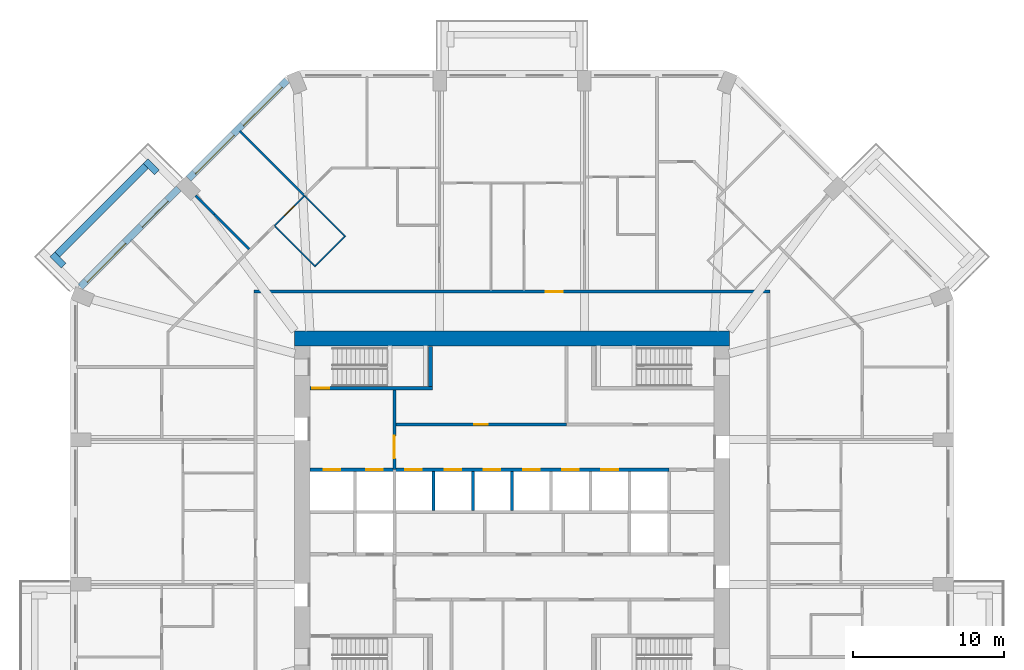
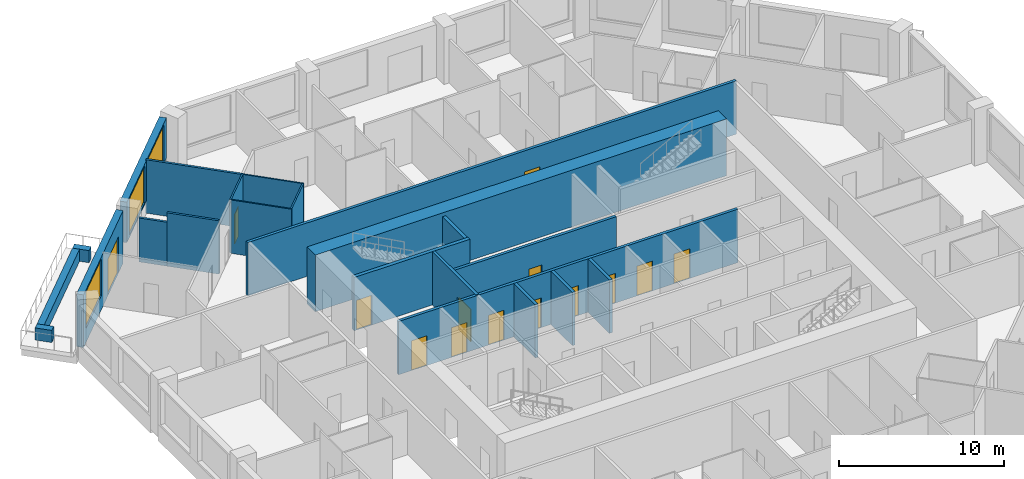
# One storey, part 8 of 13: 22 walls, 14 doors, 3 windows, 17 openings.
"""IFC4 building model written with IfcOpenShell, lengths in metres."""

from ifc_helpers import new_model, si_unit, direction, frame, frame_2d, origin, place, context, subcontext, project, spatial, rectangle, extrude, material, layer, layer_set, type_object, element, fill, save


model = new_model("IFC4")

# Units and contexts
model_context = context("Model", 3, precision=1e-05, world=origin(), true_north=direction((0.0, 1.0)))
body_context = subcontext(model_context, "Body", "Model", "MODEL_VIEW")
ifc_project = project(units=[si_unit("LENGTHUNIT", "METRE"), si_unit("AREAUNIT", "SQUARE_METRE"), si_unit("VOLUMEUNIT", "CUBIC_METRE"), si_unit("PLANEANGLEUNIT", "RADIAN"), si_unit("MASSUNIT", "GRAM", prefix="KILO")], contexts=[model_context])

# Site, building, storey
site_placement = place(None, origin())
site = spatial("IfcSite", under=ifc_project, at=site_placement, CompositionType="ELEMENT")
building_placement = place(site_placement, origin())
building = spatial("IfcBuilding", under=site, at=building_placement, Name="Msitu Wima Residences", CompositionType="ELEMENT")
storey_placement = place(building_placement, frame((0.0, 0.0, 50.699951171875)))
storey = spatial("IfcBuildingStorey", under=building, at=storey_placement, Name="L11", CompositionType="ELEMENT", Elevation=50.699951171875)

# Walls
ifc_material_1 = material(Name="Facing brick")
ifc_layer_1 = layer(ifc_material_1, 0.06494140625, Name="Facing brick")
ifc_material_2 = material(Name="Concrete C40/50", Category="concrete")
ifc_layer_2 = layer(ifc_material_2, 0.156005859375, Name="Concrete C40/50")
ifc_material_3 = material(Name="Waterproofing membrane")
ifc_layer_3 = layer(ifc_material_3, 0.00390625, Name="Waterproofing membrane")
ifc_material_4 = material(Name="Planting soil and planting")
ifc_layer_4 = layer(ifc_material_4, 0.22509765625, Name="Planting soil and planting")
ifc_layer_set_1 = layer_set([ifc_layer_1, ifc_layer_2, ifc_layer_3, ifc_layer_4], Name="Concrete C40/50")
wall_type_1 = type_object("IfcWallType", Name="Balcony planter PLANTER PL450", PredefinedType="USERDEFINED", material=ifc_layer_set_1)
wall_1_placement = place(storey_placement, frame((-24.269287109375, 22.92578125, 0.0), z_axis=(0.0, 0.0, 1.0), x_axis=(-0.707106781187, -0.707106781187, 0.0)))
element("IfcWall", 1, at=wall_1_placement, inside=storey, type_object=wall_type_1, Name="Balcony planter NW1 L11", ObjectType="PLANTER", PredefinedType="USERDEFINED", context=body_context, shape_type="SweptSolid", body=[
    extrude(rectangle(XDim=8.2822265625, YDim=0.449951171875, at=frame_2d((4.14111328125, 0.0))), origin(), (0.0, 0.0, 1.0), 0.900146484375),
])
for number, where, z_axis, x_axis, name in (
    (2, (-23.52685546875, 22.50146484375, 0.0), (0.0, 0.0, 1.0), (-0.706990528533, 0.707223014731, 0.0), "Balcony planter NW1 L11"),
    (3, (-29.70166015625, 16.326904296875, 0.0), (0.0, 0.0, 1.0), (-0.707106781187, 0.707106781187, 0.0), "Balcony planter NW1 L11"),
):
    element("IfcWall", number, at=place(storey_placement, frame(where, z_axis=z_axis, x_axis=x_axis)), inside=storey, type_object=wall_type_1, Name=name, ObjectType="PLANTER", PredefinedType="USERDEFINED", context=body_context, shape_type="SweptSolid", body=[
        extrude(rectangle(XDim=1.050048828125, YDim=0.449951171875, at=frame_2d((0.52490234375, 0.0))), origin(), (0.0, 0.0, 1.0), 0.900146484375),
    ])

# Wall, openings, windows
ifc_material_5 = material(Name="Brick (red buff mix)", Category="masonry")
ifc_layer_5 = layer(ifc_material_5, 0.449951171875)
ifc_layer_set_2 = layer_set([ifc_layer_5], Name="Brick (red buff mix)")
wall_type_2 = type_object("IfcWallType", Name="Brick infill wall BW450", PredefinedType="SOLIDWALL", material=ifc_layer_set_2)
wall_2_placement = place(storey_placement, frame((-14.903564453125, 28.61474609375, 0.900146484375), z_axis=(0.0, 0.0, 1.0), x_axis=(-0.707106781187, -0.707106781187, 0.0)))
wall_2 = element("IfcWall", 4, at=wall_2_placement, inside=storey, type_object=wall_type_2, Name="Brick infill wall L11 NW0", PredefinedType="SOLIDWALL", context=body_context, shape_type="SweptSolid", body=[
    extrude(rectangle(XDim=9.2451171875, YDim=0.449951171875, at=frame_2d((4.62255859375, 0.0))), origin(), (0.0, 0.0, 1.0), 3.0),
])
opening_1_placement = place(wall_2_placement, frame((0.572509765625, 0.0, 0.14990234375)))
opening_1 = element("IfcOpeningElement", 5, at=opening_1_placement, cuts=wall_2, Name="Opening W11-12.014", PredefinedType="OPENING", context=body_context, shape_type="SweptSolid", body=[
    extrude(rectangle(XDim=3.60009765625, YDim=2.699951171875, at=frame_2d((1.800048828125, 1.35009765625))), frame((0.0, 0.23486328125, 0.0), z_axis=(0.0, -1.0, 0.0), x_axis=(1.0, 0.0, 0.0)), (0.0, 0.0, 1.0), 0.469970703125),
])
opening_2_placement = place(wall_2_placement, frame((5.072509765625, 0.0, 0.14990234375)))
opening_2 = element("IfcOpeningElement", 6, at=opening_2_placement, cuts=wall_2, Name="Opening W11-12.015", PredefinedType="OPENING", context=body_context, shape_type="SweptSolid", body=[
    extrude(rectangle(XDim=3.60009765625, YDim=2.699951171875, at=frame_2d((1.800048828125, 1.35009765625))), frame((0.0, 0.23486328125, 0.0), z_axis=(0.0, -1.0, 0.0), x_axis=(1.0, 0.0, 0.0)), (0.0, 0.0, 1.0), 0.469970703125),
])
ifc_material_6 = material(Name="Anodised aluminium, bronze finish, clear low-emissivity double glazing", Category="aluminium")
window_type = type_object("IfcWindowType", Name="Window W3600x2700", PartitioningType="DOUBLE_PANEL_VERTICAL", PredefinedType="WINDOW", material=ifc_material_6)
window_1_placement = place(opening_1_placement, origin())
window_1 = element("IfcWindow", 7, at=window_1_placement, inside=storey, type_object=window_type, Name="Window L11 NW0.1", OverallHeight=2.699951171875, OverallWidth=3.60009765625, PartitioningType="SINGLE_PANEL", PredefinedType="WINDOW", context=body_context, shape_type="SweptSolid", body=[
    extrude(rectangle(XDim=3.60009765625, YDim=2.699951171875, at=frame_2d((1.800048828125, 1.35009765625))), frame((0.0, 0.135009765625, 0.0), z_axis=(0.0, -1.0, 0.0), x_axis=(1.0, 0.0, 0.0)), (0.0, 0.0, 1.0), 0.06005859375),
])
fill(opening_1, window_1)
window_2_placement = place(opening_2_placement, origin())
window_2 = element("IfcWindow", 8, at=window_2_placement, inside=storey, type_object=window_type, Name="Window L11 NW0.2", OverallHeight=2.699951171875, OverallWidth=3.60009765625, PartitioningType="SINGLE_PANEL", PredefinedType="WINDOW", context=body_context, shape_type="SweptSolid", body=[
    extrude(rectangle(XDim=3.60009765625, YDim=2.699951171875, at=frame_2d((1.800048828125, 1.35009765625))), frame((0.0, 0.135009765625, 0.0), z_axis=(0.0, -1.0, 0.0), x_axis=(1.0, 0.0, 0.0)), (0.0, 0.0, 1.0), 0.06005859375),
])
fill(opening_2, window_2)

# Wall, openings, door, window
wall_3_placement = place(storey_placement, frame((-22.077392578125, 21.44091796875, 0.0), z_axis=(0.0, 0.0, 1.0), x_axis=(-0.707106781187, -0.707106781187, 0.0)))
wall_3 = element("IfcWall", 9, at=wall_3_placement, inside=storey, type_object=wall_type_2, Name="Brick infill wall L11 NW1", PredefinedType="SOLIDWALL", context=body_context, shape_type="SweptSolid", body=[
    extrude(rectangle(XDim=9.2451171875, YDim=0.449951171875, at=frame_2d((4.62255859375, 0.0))), origin(), (0.0, 0.0, 1.0), 3.900146484375),
])
opening_3_placement = place(wall_3_placement, frame((1.111328125, 0.0, 0.0)))
opening_3 = element("IfcOpeningElement", 10, at=opening_3_placement, cuts=wall_3, Name="Opening D11-12.004", PredefinedType="OPENING", context=body_context, shape_type="SweptSolid", body=[
    extrude(rectangle(XDim=2.39990234375, YDim=2.699951171875, at=frame_2d((1.199951171875, 1.35009765625))), frame((0.0, 0.23486328125, 0.0), z_axis=(0.0, -1.0, 0.0), x_axis=(1.0, 0.0, 0.0)), (0.0, 0.0, 1.0), 0.469970703125),
])
opening_4_placement = place(wall_3_placement, frame((5.072509765625, 0.0, 1.050048828125)))
opening_4 = element("IfcOpeningElement", 11, at=opening_4_placement, cuts=wall_3, Name="Opening W11-12.016", PredefinedType="OPENING", context=body_context, shape_type="SweptSolid", body=[
    extrude(rectangle(XDim=3.60009765625, YDim=2.699951171875, at=frame_2d((1.800048828125, 1.35009765625))), frame((0.0, 0.23486328125, 0.0), z_axis=(0.0, -1.0, 0.0), x_axis=(1.0, 0.0, 0.0)), (0.0, 0.0, 1.0), 0.469970703125),
])
door_type_1 = type_object("IfcDoorType", Name="Balcony door D2400x2700", OperationType="SLIDING_TO_LEFT", PredefinedType="DOOR", material=ifc_material_6)
door_1_placement = place(opening_3_placement, origin())
door_1 = element("IfcDoor", 12, at=door_1_placement, inside=storey, type_object=door_type_1, Name="Balcony door L11 NW1", OperationType="SINGLE_SWING_LEFT", OverallHeight=2.699951171875, OverallWidth=2.39990234375, PredefinedType="DOOR", context=body_context, shape_type="SweptSolid", body=[
    extrude(rectangle(XDim=2.39990234375, YDim=2.699951171875, at=frame_2d((1.199951171875, 1.35009765625))), frame((0.0, 0.1298828125, 0.0), z_axis=(0.0, -1.0, 0.0), x_axis=(1.0, 0.0, 0.0)), (0.0, 0.0, 1.0), 0.050048828125),
])
fill(opening_3, door_1)
window_3_placement = place(opening_4_placement, origin())
window_3 = element("IfcWindow", 13, at=window_3_placement, inside=storey, type_object=window_type, Name="Window L11 NW1.2", OverallHeight=2.699951171875, OverallWidth=3.60009765625, PartitioningType="SINGLE_PANEL", PredefinedType="WINDOW", context=body_context, shape_type="SweptSolid", body=[
    extrude(rectangle(XDim=3.60009765625, YDim=2.699951171875, at=frame_2d((1.800048828125, 1.35009765625))), frame((0.0, 0.135009765625, 0.0), z_axis=(0.0, -1.0, 0.0), x_axis=(1.0, 0.0, 0.0)), (0.0, 0.0, 1.0), 0.06005859375),
])
fill(opening_4, window_3)

# Wall
ifc_material_7 = material(Name="Concrete C80/95", Category="concrete")
ifc_layer_6 = layer(ifc_material_7, 1.0)
ifc_layer_set_3 = layer_set([ifc_layer_6], Name="Concrete C80/95")
wall_type_3 = type_object("IfcWallType", Name="Core wall CW1000 C80/95", PredefinedType="SHEAR", material=ifc_layer_set_3)
wall_4_placement = place(storey_placement, frame((-14.39990234375, 11.5, 0.0), z_axis=(0.0, 0.0, 1.0), x_axis=(1.0, 0.0, 0.0)))
element("IfcWall", 14, at=wall_4_placement, inside=storey, type_object=wall_type_3, Name="Core wall", PredefinedType="SHEAR", context=body_context, shape_type="SweptSolid", body=[
    extrude(rectangle(XDim=28.7998046875, YDim=1.0, at=frame_2d((14.39990234375, 0.0))), origin(), (0.0, 0.0, 1.0), 4.199951171875),
])

# Wall, opening, door
ifc_material_8 = material(Name="Plaster")
ifc_layer_7 = layer(ifc_material_8, 0.011962890625, Name="Plaster")
ifc_material_9 = material(Name="Concrete blockwork", Category="masonry")
ifc_layer_8 = layer(ifc_material_9, 0.176025390625, Name="Concrete blockwork")
ifc_layer_9 = layer(ifc_material_8, 0.011962890625, Name="Plaster")
ifc_layer_set_4 = layer_set([ifc_layer_7, ifc_layer_8, ifc_layer_9], Name="Concrete blockwork")
wall_type_4 = type_object("IfcWallType", Name="Corridor wall FW200", PredefinedType="PARTITIONING", material=ifc_layer_set_4)
wall_5_placement = place(storey_placement, frame((-17.10009765625, 14.60009765625, 0.0), z_axis=(0.0, 0.0, 1.0), x_axis=(1.0, 0.0, 0.0)))
wall_5 = element("IfcWall", 15, at=wall_5_placement, inside=storey, type_object=wall_type_4, Name="Corridor wall", PredefinedType="PARTITIONING", context=body_context, shape_type="SweptSolid", body=[
    extrude(rectangle(XDim=34.2001953125, YDim=0.199951171875, at=frame_2d((17.10009765625, 0.0))), origin(), (0.0, 0.0, 1.0), 3.949951171875),
])
opening_5_placement = place(wall_5_placement, frame((19.35009765625, 0.0, 0.0)))
opening_5 = element("IfcOpeningElement", 16, at=opening_5_placement, cuts=wall_5, Name="Opening D11-12.009", PredefinedType="OPENING", context=body_context, shape_type="SweptSolid", body=[
    extrude(rectangle(XDim=1.10009765625, YDim=2.39990234375, at=frame_2d((0.550048828125, 1.199951171875))), frame((0.0, 0.10986328125, 0.0), z_axis=(0.0, -1.0, 0.0), x_axis=(1.0, 0.0, 0.0)), (0.0, 0.0, 1.0), 0.219970703125),
])
ifc_material_10 = material(Name="Timber flush door, fire resisting, self-closing", Category="wood")
door_type_2 = type_object("IfcDoorType", Name="Flat entrance door D01 1100x2400", OperationType="SINGLE_SWING_LEFT", PredefinedType="DOOR", material=ifc_material_10)
door_2_placement = place(opening_5_placement, origin())
door_2 = element("IfcDoor", 17, at=door_2_placement, inside=storey, type_object=door_type_2, Name="Flat entrance door", OperationType="SINGLE_SWING_RIGHT", OverallHeight=2.39990234375, OverallWidth=1.10009765625, PredefinedType="DOOR", context=body_context, shape_type="SweptSolid", body=[
    extrude(rectangle(XDim=1.10009765625, YDim=2.39990234375, at=frame_2d((0.550048828125, 1.199951171875))), frame((0.0, 0.02490234375, 0.0), z_axis=(0.0, -1.0, 0.0), x_axis=(1.0, 0.0, 0.0)), (0.0, 0.0, 1.0), 0.050048828125),
])
fill(opening_5, door_2)

wall_6_placement = place(storey_placement, frame((-7.800048828125, 2.800048828125, 0.0), z_axis=(0.0, 0.0, 1.0), x_axis=(0.0, 1.0, 0.0)))
wall_6 = element("IfcWall", 18, at=wall_6_placement, inside=storey, type_object=wall_type_4, Name="Corridor wall", PredefinedType="PARTITIONING", context=body_context, shape_type="SweptSolid", body=[
    extrude(rectangle(XDim=5.27490234375, YDim=0.199951171875, at=frame_2d((2.637451171875, 0.0))), origin(), (0.0, 0.0, 1.0), 3.949951171875),
])
opening_6_placement = place(wall_6_placement, frame((0.75, 0.0, 0.0)))
opening_6 = element("IfcOpeningElement", 19, at=opening_6_placement, cuts=wall_6, Name="Opening D11-12.014", PredefinedType="OPENING", context=body_context, shape_type="SweptSolid", body=[
    extrude(rectangle(XDim=1.5, YDim=2.39990234375, at=frame_2d((0.75, 1.199951171875))), frame((0.0, 0.10986328125, 0.0), z_axis=(0.0, -1.0, 0.0), x_axis=(1.0, 0.0, 0.0)), (0.0, 0.0, 1.0), 0.219970703125),
])
ifc_material_11 = material(Name="Steel framed glazed door, fire resisting", Category="steel")
door_type_3 = type_object("IfcDoorType", Name="Lobby door D07 1500x2400", OperationType="DOUBLE_DOOR_SINGLE_SWING", PredefinedType="DOOR", material=ifc_material_11)
door_3_placement = place(opening_6_placement, origin())
door_3 = element("IfcDoor", 20, at=door_3_placement, inside=storey, type_object=door_type_3, Name="Lobby door", OperationType="DOUBLE_DOOR_SINGLE_SWING", OverallHeight=2.39990234375, OverallWidth=1.5, PredefinedType="DOOR", context=body_context, shape_type="SweptSolid", body=[
    extrude(rectangle(XDim=1.5, YDim=2.39990234375, at=frame_2d((0.75, 1.199951171875))), frame((0.0, 0.02490234375, 0.0), z_axis=(0.0, -1.0, 0.0), x_axis=(1.0, 0.0, 0.0)), (0.0, 0.0, 1.0), 0.050048828125),
])
fill(opening_6, door_3)

wall_7_placement = place(storey_placement, frame((-7.699951171875, 5.800048828125, 0.0), z_axis=(0.0, 0.0, 1.0), x_axis=(1.0, 0.0, 0.0)))
wall_7 = element("IfcWall", 21, at=wall_7_placement, inside=storey, type_object=wall_type_4, Name="Corridor wall", PredefinedType="PARTITIONING", context=body_context, shape_type="SweptSolid", body=[
    extrude(rectangle(XDim=11.320068359375, YDim=0.199951171875, at=frame_2d((5.66015625, 0.0))), origin(), (0.0, 0.0, 1.0), 3.949951171875),
])
opening_7_placement = place(wall_7_placement, frame((5.199951171875, 0.0, 0.0)))
opening_7 = element("IfcOpeningElement", 22, at=opening_7_placement, cuts=wall_7, Name="Opening D11-12.017", PredefinedType="OPENING", context=body_context, shape_type="SweptSolid", body=[
    extrude(rectangle(XDim=0.89990234375, YDim=2.199951171875, at=frame_2d((0.449951171875, 1.10009765625))), frame((0.0, 0.10986328125, 0.0), z_axis=(0.0, -1.0, 0.0), x_axis=(1.0, 0.0, 0.0)), (0.0, 0.0, 1.0), 0.219970703125),
])
ifc_material_12 = material(Name="Timber flush door", Category="wood")
door_type_4 = type_object("IfcDoorType", Name="Service door D05 900x2200", OperationType="SINGLE_SWING_LEFT", PredefinedType="DOOR", material=ifc_material_12)
door_4_placement = place(opening_7_placement, origin())
door_4 = element("IfcDoor", 23, at=door_4_placement, inside=storey, type_object=door_type_4, Name="Service door", OperationType="SINGLE_SWING_LEFT", OverallHeight=2.199951171875, OverallWidth=0.89990234375, PredefinedType="DOOR", context=body_context, shape_type="SweptSolid", body=[
    extrude(rectangle(XDim=0.89990234375, YDim=2.199951171875, at=frame_2d((0.449951171875, 1.10009765625))), frame((0.0, 0.02490234375, 0.0), z_axis=(0.0, -1.0, 0.0), x_axis=(1.0, 0.0, 0.0)), (0.0, 0.0, 1.0), 0.050048828125),
])
fill(opening_7, door_4)

# Walls
ifc_layer_10 = layer(ifc_material_8, 0.011962890625, Name="Plaster")
ifc_layer_11 = layer(ifc_material_9, 0.1259765625, Name="Concrete blockwork")
ifc_layer_12 = layer(ifc_material_8, 0.011962890625, Name="Plaster")
ifc_layer_set_5 = layer_set([ifc_layer_10, ifc_layer_11, ifc_layer_12], Name="Concrete blockwork")
wall_type_5 = type_object("IfcWallType", Name="Partition PW150", PredefinedType="PARTITIONING", material=ifc_layer_set_5)
wall_8_placement = place(storey_placement, frame((-20.963623046875, 20.963623046875, 0.0), z_axis=(0.0, 0.0, 1.0), x_axis=(0.707106781187, -0.707106781187, 0.0)))
element("IfcWall", 24, at=wall_8_placement, inside=storey, type_object=wall_type_5, Name="Partition", PredefinedType="PARTITIONING", context=body_context, shape_type="SweptSolid", body=[
    extrude(rectangle(XDim=1.74853515625, YDim=0.14990234375, at=frame_2d((0.874267578125, 0.0))), origin(), (0.0, 0.0, 1.0), 3.25),
])
wall_9_placement = place(storey_placement, frame((-19.727294921875, 19.727294921875, 0.0), z_axis=(0.0, 0.0, 1.0), x_axis=(0.707106781187, -0.707106781187, 0.0)))
element("IfcWall", 25, at=wall_9_placement, inside=storey, type_object=wall_type_5, Name="Partition", PredefinedType="PARTITIONING", context=body_context, shape_type="SweptSolid", body=[
    extrude(rectangle(XDim=3.276611328125, YDim=0.14990234375, at=frame_2d((1.63818359375, 0.0))), origin(), (0.0, 0.0, 1.0), 3.949951171875),
])
wall_10_placement = place(storey_placement, frame((-18.038818359375, 25.23876953125, 0.0), z_axis=(0.0, 0.0, 1.0), x_axis=(0.707106781187, -0.707106781187, 0.0)))
element("IfcWall", 26, at=wall_10_placement, inside=storey, type_object=wall_type_5, Name="Partition", PredefinedType="PARTITIONING", context=body_context, shape_type="SweptSolid", body=[
    extrude(rectangle(XDim=6.074951171875, YDim=0.14990234375, at=frame_2d((3.03759765625, 0.0))), origin(), (0.0, 0.0, 1.0), 3.949951171875),
])

# Wall, openings, doors
ifc_material_13 = material(Name="Fire-rated board")
ifc_layer_13 = layer(ifc_material_13, 0.02490234375, Name="Fire-rated board")
ifc_material_14 = material(Name="Light-gauge stud framing with mineral wool")
ifc_layer_14 = layer(ifc_material_14, 0.14990234375, Name="Light-gauge stud framing with mineral wool")
ifc_layer_15 = layer(ifc_material_13, 0.02490234375, Name="Fire-rated board")
ifc_layer_set_6 = layer_set([ifc_layer_13, ifc_layer_14, ifc_layer_15], Name="Light-gauge stud framing with mineral wool")
wall_type_6 = type_object("IfcWallType", Name="Shaft wall SH200", PredefinedType="PARTITIONING", material=ifc_layer_set_6)
wall_11_placement = place(storey_placement, frame((-13.3701171875, 2.800048828125, 0.0), z_axis=(0.0, 0.0, 1.0), x_axis=(1.0, 0.0, 0.0)))
wall_11 = element("IfcWall", 27, at=wall_11_placement, inside=storey, type_object=wall_type_6, Name="Shaft wall", PredefinedType="PARTITIONING", context=body_context, shape_type="SweptSolid", body=[
    extrude(rectangle(XDim=23.77001953125, YDim=0.199951171875, at=frame_2d((11.885009765625, 0.0))), origin(), (0.0, 0.0, 1.0), 3.949951171875),
])
opening_8_placement = place(wall_11_placement, frame((0.89990234375, 0.0, 0.0)))
opening_8 = element("IfcOpeningElement", 28, at=opening_8_placement, cuts=wall_11, Name="Opening LD", PredefinedType="OPENING", context=body_context, shape_type="SweptSolid", body=[
    extrude(rectangle(XDim=1.10009765625, YDim=2.199951171875, at=frame_2d((0.550048828125, 1.10009765625))), frame((0.0, 0.10986328125, 0.0), z_axis=(0.0, -1.0, 0.0), x_axis=(1.0, 0.0, 0.0)), (0.0, 0.0, 1.0), 0.219970703125),
])
opening_9_placement = place(wall_11_placement, frame((3.699951171875, 0.0, 0.0)))
opening_9 = element("IfcOpeningElement", 29, at=opening_9_placement, cuts=wall_11, Name="Opening LD", PredefinedType="OPENING", context=body_context, shape_type="SweptSolid", body=[
    extrude(rectangle(XDim=1.10009765625, YDim=2.199951171875, at=frame_2d((0.550048828125, 1.10009765625))), frame((0.0, 0.10986328125, 0.0), z_axis=(0.0, -1.0, 0.0), x_axis=(1.0, 0.0, 0.0)), (0.0, 0.0, 1.0), 0.219970703125),
])
opening_10_placement = place(wall_11_placement, frame((6.300048828125, 0.0, 0.0)))
opening_10 = element("IfcOpeningElement", 30, at=opening_10_placement, cuts=wall_11, Name="Opening LD", PredefinedType="OPENING", context=body_context, shape_type="SweptSolid", body=[
    extrude(rectangle(XDim=1.10009765625, YDim=2.199951171875, at=frame_2d((0.550048828125, 1.10009765625))), frame((0.0, 0.10986328125, 0.0), z_axis=(0.0, -1.0, 0.0), x_axis=(1.0, 0.0, 0.0)), (0.0, 0.0, 1.0), 0.219970703125),
])
opening_11_placement = place(wall_11_placement, frame((8.89990234375, 0.0, 0.0)))
opening_11 = element("IfcOpeningElement", 31, at=opening_11_placement, cuts=wall_11, Name="Opening LD", PredefinedType="OPENING", context=body_context, shape_type="SweptSolid", body=[
    extrude(rectangle(XDim=1.10009765625, YDim=2.199951171875, at=frame_2d((0.550048828125, 1.10009765625))), frame((0.0, 0.10986328125, 0.0), z_axis=(0.0, -1.0, 0.0), x_axis=(1.0, 0.0, 0.0)), (0.0, 0.0, 1.0), 0.219970703125),
])
opening_12_placement = place(wall_11_placement, frame((11.5, 0.0, 0.0)))
opening_12 = element("IfcOpeningElement", 32, at=opening_12_placement, cuts=wall_11, Name="Opening LD", PredefinedType="OPENING", context=body_context, shape_type="SweptSolid", body=[
    extrude(rectangle(XDim=1.10009765625, YDim=2.199951171875, at=frame_2d((0.550048828125, 1.10009765625))), frame((0.0, 0.10986328125, 0.0), z_axis=(0.0, -1.0, 0.0), x_axis=(1.0, 0.0, 0.0)), (0.0, 0.0, 1.0), 0.219970703125),
])
opening_13_placement = place(wall_11_placement, frame((14.10009765625, 0.0, 0.0)))
opening_13 = element("IfcOpeningElement", 33, at=opening_13_placement, cuts=wall_11, Name="Opening LD", PredefinedType="OPENING", context=body_context, shape_type="SweptSolid", body=[
    extrude(rectangle(XDim=1.10009765625, YDim=2.199951171875, at=frame_2d((0.550048828125, 1.10009765625))), frame((0.0, 0.10986328125, 0.0), z_axis=(0.0, -1.0, 0.0), x_axis=(1.0, 0.0, 0.0)), (0.0, 0.0, 1.0), 0.219970703125),
])
opening_14_placement = place(wall_11_placement, frame((16.699951171875, 0.0, 0.0)))
opening_14 = element("IfcOpeningElement", 34, at=opening_14_placement, cuts=wall_11, Name="Opening LD", PredefinedType="OPENING", context=body_context, shape_type="SweptSolid", body=[
    extrude(rectangle(XDim=1.10009765625, YDim=2.199951171875, at=frame_2d((0.550048828125, 1.10009765625))), frame((0.0, 0.10986328125, 0.0), z_axis=(0.0, -1.0, 0.0), x_axis=(1.0, 0.0, 0.0)), (0.0, 0.0, 1.0), 0.219970703125),
])
opening_15_placement = place(wall_11_placement, frame((19.300048828125, 0.0, 0.0)))
opening_15 = element("IfcOpeningElement", 35, at=opening_15_placement, cuts=wall_11, Name="Opening LD", PredefinedType="OPENING", context=body_context, shape_type="SweptSolid", body=[
    extrude(rectangle(XDim=1.10009765625, YDim=2.199951171875, at=frame_2d((0.550048828125, 1.10009765625))), frame((0.0, 0.10986328125, 0.0), z_axis=(0.0, -1.0, 0.0), x_axis=(1.0, 0.0, 0.0)), (0.0, 0.0, 1.0), 0.219970703125),
])
ifc_material_15 = material(Name="Stainless steel centre-opening landing door, rated", Category="steel")
door_type_5 = type_object("IfcDoorType", Name="Lift landing door LD 1100x2200", OperationType="DOUBLE_DOOR_SLIDING", PredefinedType="DOOR", material=ifc_material_15)
door_5_placement = place(opening_8_placement, origin())
door_5 = element("IfcDoor", 36, at=door_5_placement, inside=storey, type_object=door_type_5, Name="Lift landing door LD1", OperationType="DOUBLE_DOOR_SLIDING", OverallHeight=2.199951171875, OverallWidth=1.10009765625, PredefinedType="DOOR", context=body_context, shape_type="SweptSolid", body=[
    extrude(rectangle(XDim=1.10009765625, YDim=2.199951171875, at=frame_2d((0.550048828125, 1.10009765625))), frame((0.0, 0.02490234375, 0.0), z_axis=(0.0, -1.0, 0.0), x_axis=(1.0, 0.0, 0.0)), (0.0, 0.0, 1.0), 0.050048828125),
])
fill(opening_8, door_5)
door_6_placement = place(opening_9_placement, origin())
door_6 = element("IfcDoor", 37, at=door_6_placement, inside=storey, type_object=door_type_5, Name="Lift landing door LD2", OperationType="DOUBLE_DOOR_SLIDING", OverallHeight=2.199951171875, OverallWidth=1.10009765625, PredefinedType="DOOR", context=body_context, shape_type="SweptSolid", body=[
    extrude(rectangle(XDim=1.10009765625, YDim=2.199951171875, at=frame_2d((0.550048828125, 1.10009765625))), frame((0.0, 0.02490234375, 0.0), z_axis=(0.0, -1.0, 0.0), x_axis=(1.0, 0.0, 0.0)), (0.0, 0.0, 1.0), 0.050048828125),
])
fill(opening_9, door_6)
door_7_placement = place(opening_10_placement, origin())
door_7 = element("IfcDoor", 38, at=door_7_placement, inside=storey, type_object=door_type_5, Name="Lift landing door LD4", OperationType="DOUBLE_DOOR_SLIDING", OverallHeight=2.199951171875, OverallWidth=1.10009765625, PredefinedType="DOOR", context=body_context, shape_type="SweptSolid", body=[
    extrude(rectangle(XDim=1.10009765625, YDim=2.199951171875, at=frame_2d((0.550048828125, 1.10009765625))), frame((0.0, 0.02490234375, 0.0), z_axis=(0.0, -1.0, 0.0), x_axis=(1.0, 0.0, 0.0)), (0.0, 0.0, 1.0), 0.050048828125),
])
fill(opening_10, door_7)
door_8_placement = place(opening_11_placement, origin())
door_8 = element("IfcDoor", 39, at=door_8_placement, inside=storey, type_object=door_type_5, Name="Lift landing door LD6", OperationType="DOUBLE_DOOR_SLIDING", OverallHeight=2.199951171875, OverallWidth=1.10009765625, PredefinedType="DOOR", context=body_context, shape_type="SweptSolid", body=[
    extrude(rectangle(XDim=1.10009765625, YDim=2.199951171875, at=frame_2d((0.550048828125, 1.10009765625))), frame((0.0, 0.02490234375, 0.0), z_axis=(0.0, -1.0, 0.0), x_axis=(1.0, 0.0, 0.0)), (0.0, 0.0, 1.0), 0.050048828125),
])
fill(opening_11, door_8)
door_9_placement = place(opening_12_placement, origin())
door_9 = element("IfcDoor", 40, at=door_9_placement, inside=storey, type_object=door_type_5, Name="Lift landing door LD8", OperationType="DOUBLE_DOOR_SLIDING", OverallHeight=2.199951171875, OverallWidth=1.10009765625, PredefinedType="DOOR", context=body_context, shape_type="SweptSolid", body=[
    extrude(rectangle(XDim=1.10009765625, YDim=2.199951171875, at=frame_2d((0.550048828125, 1.10009765625))), frame((0.0, 0.02490234375, 0.0), z_axis=(0.0, -1.0, 0.0), x_axis=(1.0, 0.0, 0.0)), (0.0, 0.0, 1.0), 0.050048828125),
])
fill(opening_12, door_9)
door_10_placement = place(opening_13_placement, origin())
door_10 = element("IfcDoor", 41, at=door_10_placement, inside=storey, type_object=door_type_5, Name="Lift landing door LD10", OperationType="DOUBLE_DOOR_SLIDING", OverallHeight=2.199951171875, OverallWidth=1.10009765625, PredefinedType="DOOR", context=body_context, shape_type="SweptSolid", body=[
    extrude(rectangle(XDim=1.10009765625, YDim=2.199951171875, at=frame_2d((0.550048828125, 1.10009765625))), frame((0.0, 0.02490234375, 0.0), z_axis=(0.0, -1.0, 0.0), x_axis=(1.0, 0.0, 0.0)), (0.0, 0.0, 1.0), 0.050048828125),
])
fill(opening_13, door_10)
door_11_placement = place(opening_14_placement, origin())
door_11 = element("IfcDoor", 42, at=door_11_placement, inside=storey, type_object=door_type_5, Name="Lift landing door LD12", OperationType="DOUBLE_DOOR_SLIDING", OverallHeight=2.199951171875, OverallWidth=1.10009765625, PredefinedType="DOOR", context=body_context, shape_type="SweptSolid", body=[
    extrude(rectangle(XDim=1.10009765625, YDim=2.199951171875, at=frame_2d((0.550048828125, 1.10009765625))), frame((0.0, 0.02490234375, 0.0), z_axis=(0.0, -1.0, 0.0), x_axis=(1.0, 0.0, 0.0)), (0.0, 0.0, 1.0), 0.050048828125),
])
fill(opening_14, door_11)
door_12_placement = place(opening_15_placement, origin())
door_12 = element("IfcDoor", 43, at=door_12_placement, inside=storey, type_object=door_type_5, Name="Lift landing door LD14", OperationType="DOUBLE_DOOR_SLIDING", OverallHeight=2.199951171875, OverallWidth=1.10009765625, PredefinedType="DOOR", context=body_context, shape_type="SweptSolid", body=[
    extrude(rectangle(XDim=1.10009765625, YDim=2.199951171875, at=frame_2d((0.550048828125, 1.10009765625))), frame((0.0, 0.02490234375, 0.0), z_axis=(0.0, -1.0, 0.0), x_axis=(1.0, 0.0, 0.0)), (0.0, 0.0, 1.0), 0.050048828125),
])
fill(opening_15, door_12)

# Walls
for number, where, z_axis, x_axis, name in (
    (44, (-5.199951171875, 0.10009765625, 0.0), (0.0, 0.0, 1.0), (0.0, 1.0, 0.0), "Shaft wall"),
    (45, (-2.60009765625, 0.10009765625, 0.0), (0.0, 0.0, 1.0), (0.0, 1.0, 0.0), "Shaft wall"),
    (46, (0.0, 0.10009765625, 0.0), (0.0, 0.0, 1.0), (0.0, 1.0, 0.0), "Shaft wall"),
):
    element("IfcWall", number, at=place(storey_placement, frame(where, z_axis=z_axis, x_axis=x_axis)), inside=storey, type_object=wall_type_6, Name=name, PredefinedType="PARTITIONING", context=body_context, shape_type="SweptSolid", body=[
        extrude(rectangle(XDim=2.599853515625, YDim=0.199951171875, at=frame_2d((1.2998046875, 0.0))), origin(), (0.0, 0.0, 1.0), 3.949951171875),
    ])

# Wall, opening, door
ifc_material_16 = material(Name="Concrete C50/60", Category="concrete")
ifc_layer_16 = layer(ifc_material_16, 0.25)
ifc_layer_set_7 = layer_set([ifc_layer_16], Name="Concrete C50/60")
wall_type_7 = type_object("IfcWallType", Name="Stair enclosure wall SW250", PredefinedType="SHEAR", material=ifc_layer_set_7)
wall_12_placement = place(storey_placement, frame((-13.3701171875, 8.199951171875, 0.0), z_axis=(0.0, 0.0, 1.0), x_axis=(1.0, 0.0, 0.0)))
wall_12 = element("IfcWall", 47, at=wall_12_placement, inside=storey, type_object=wall_type_7, Name="Stair enclosure wall", PredefinedType="SHEAR", context=body_context, shape_type="SweptSolid", body=[
    extrude(rectangle(XDim=8.09521484375, YDim=0.25, at=frame_2d((4.047607421875, 0.0))), origin(), (0.0, 0.0, 1.0), 3.949951171875),
])
opening_16_placement = place(wall_12_placement, frame((0.14990234375, 0.0, 0.0)))
opening_16 = element("IfcOpeningElement", 48, at=opening_16_placement, cuts=wall_12, Name="Opening D11-12.032", PredefinedType="OPENING", context=body_context, shape_type="SweptSolid", body=[
    extrude(rectangle(XDim=1.10009765625, YDim=2.199951171875, at=frame_2d((0.550048828125, 1.10009765625))), frame((0.0, 0.135009765625, 0.0), z_axis=(0.0, -1.0, 0.0), x_axis=(1.0, 0.0, 0.0)), (0.0, 0.0, 1.0), 0.27001953125),
])
ifc_material_17 = material(Name="Steel door, fire resisting, panic bar", Category="steel")
door_type_6 = type_object("IfcDoorType", Name="Stair door D06 1100x2200", OperationType="SINGLE_SWING_LEFT", PredefinedType="DOOR", material=ifc_material_17)
door_13_placement = place(opening_16_placement, origin())
door_13 = element("IfcDoor", 49, at=door_13_placement, inside=storey, type_object=door_type_6, Name="Stair door", OperationType="SINGLE_SWING_LEFT", OverallHeight=2.199951171875, OverallWidth=1.10009765625, PredefinedType="DOOR", context=body_context, shape_type="SweptSolid", body=[
    extrude(rectangle(XDim=1.10009765625, YDim=2.199951171875, at=frame_2d((0.550048828125, 1.10009765625))), frame((0.0, 0.02490234375, 0.0), z_axis=(0.0, -1.0, 0.0), x_axis=(1.0, 0.0, 0.0)), (0.0, 0.0, 1.0), 0.050048828125),
])
fill(opening_16, door_13)

# Wall
wall_13_placement = place(storey_placement, frame((-5.39990234375, 8.324951171875, 0.0), z_axis=(0.0, 0.0, 1.0), x_axis=(0.0, 1.0, 0.0)))
element("IfcWall", 50, at=wall_13_placement, inside=storey, type_object=wall_type_7, Name="Stair enclosure wall", PredefinedType="SHEAR", context=body_context, shape_type="SweptSolid", body=[
    extrude(rectangle(XDim=2.64501953125, YDim=0.25, at=frame_2d((1.322509765625, 0.0))), origin(), (0.0, 0.0, 1.0), 3.949951171875),
])

# Wall, opening, door
ifc_material_18 = material(Name="Ceramic tiles")
ifc_layer_17 = layer(ifc_material_18, 0.008056640625, Name="Ceramic tiles")
ifc_material_19 = material(Name="Moisture-resistant board")
ifc_layer_18 = layer(ifc_material_19, 0.012451171875, Name="Moisture-resistant board")
ifc_layer_19 = layer(ifc_material_14, 0.06689453125, Name="Light-gauge stud framing with mineral wool")
ifc_layer_20 = layer(ifc_material_19, 0.012451171875, Name="Moisture-resistant board")
ifc_layer_set_8 = layer_set([ifc_layer_17, ifc_layer_18, ifc_layer_19, ifc_layer_20], Name="Light-gauge stud framing with mineral wool")
wall_type_8 = type_object("IfcWallType", Name="Wet wall PW100", PredefinedType="PARTITIONING", material=ifc_layer_set_8)
wall_14_placement = place(storey_placement, frame((-15.7373046875, 18.9775390625, 0.0), z_axis=(0.0, 0.0, 1.0), x_axis=(0.707150067696, 0.707063492027, 0.0)))
wall_14 = element("IfcWall", 51, at=wall_14_placement, inside=storey, type_object=wall_type_8, Name="Wet wall", PredefinedType="PARTITIONING", context=body_context, shape_type="SweptSolid", body=[
    extrude(rectangle(XDim=2.820068359375, YDim=0.10009765625, at=frame_2d((1.41015625, 0.0))), origin(), (0.0, 0.0, 1.0), 3.949951171875),
])
opening_17_placement = place(wall_14_placement, frame((0.949951171875, 0.0, 0.0)))
opening_17 = element("IfcOpeningElement", 52, at=opening_17_placement, cuts=wall_14, Name="Opening D11-12.052", PredefinedType="OPENING", context=body_context, shape_type="SweptSolid", body=[
    extrude(rectangle(XDim=0.89990234375, YDim=2.199951171875, at=frame_2d((0.449951171875, 1.10009765625))), frame((0.0, 0.06005859375, 0.0), z_axis=(0.0, -1.0, 0.0), x_axis=(1.0, 0.0, 0.0)), (0.0, 0.0, 1.0), 0.1201171875),
])
ifc_material_20 = material(Name="Timber flush door, moisture resistant", Category="wood")
door_type_7 = type_object("IfcDoorType", Name="Bathroom door D03 900x2200", OperationType="SINGLE_SWING_LEFT", PredefinedType="DOOR", material=ifc_material_20)
door_14_placement = place(opening_17_placement, origin())
door_14 = element("IfcDoor", 53, at=door_14_placement, inside=storey, type_object=door_type_7, Name="Bathroom door", OperationType="SINGLE_SWING_RIGHT", OverallHeight=2.199951171875, OverallWidth=0.89990234375, PredefinedType="DOOR", context=body_context, shape_type="SweptSolid", body=[
    extrude(rectangle(XDim=0.89990234375, YDim=2.199951171875, at=frame_2d((0.449951171875, 1.10009765625))), frame((0.0, 0.02490234375, 0.0), z_axis=(0.0, -1.0, 0.0), x_axis=(1.0, 0.0, 0.0)), (0.0, 0.0, 1.0), 0.050048828125),
])
fill(opening_17, door_14)

# Walls
wall_15_placement = place(storey_placement, frame((-15.701904296875, 18.942138671875, 0.0), z_axis=(0.0, 0.0, 1.0), x_axis=(0.707106781187, -0.707106781187, 0.0)))
element("IfcWall", 54, at=wall_15_placement, inside=storey, type_object=wall_type_8, Name="Wet wall", PredefinedType="PARTITIONING", context=body_context, shape_type="SweptSolid", body=[
    extrude(rectangle(XDim=3.800048828125, YDim=0.10009765625, at=frame_2d((1.89990234375, 0.0))), origin(), (0.0, 0.0, 1.0), 3.949951171875),
])
wall_16_placement = place(storey_placement, frame((-13.7431640625, 20.943115234375, 0.0), z_axis=(0.0, 0.0, 1.0), x_axis=(0.707138653661, -0.707074907275, 0.0)))
element("IfcWall", 55, at=wall_16_placement, inside=storey, type_object=wall_type_8, Name="Wet wall", PredefinedType="PARTITIONING", context=body_context, shape_type="SweptSolid", body=[
    extrude(rectangle(XDim=3.829833984375, YDim=0.10009765625, at=frame_2d((1.9150390625, 0.0))), origin(), (0.0, 0.0, 1.0), 3.949951171875),
])
wall_17_placement = place(storey_placement, frame((-13.014892578125, 16.325927734375, 0.0), z_axis=(0.0, 0.0, 1.0), x_axis=(0.707106781187, 0.707106781187, 0.0)))
element("IfcWall", 56, at=wall_17_placement, inside=storey, type_object=wall_type_8, Name="Wet wall", PredefinedType="PARTITIONING", context=body_context, shape_type="SweptSolid", body=[
    extrude(rectangle(XDim=2.699951171875, YDim=0.10009765625, at=frame_2d((1.35009765625, 0.0))), origin(), (0.0, 0.0, 1.0), 3.949951171875),
])

save(model, "model.ifc")
